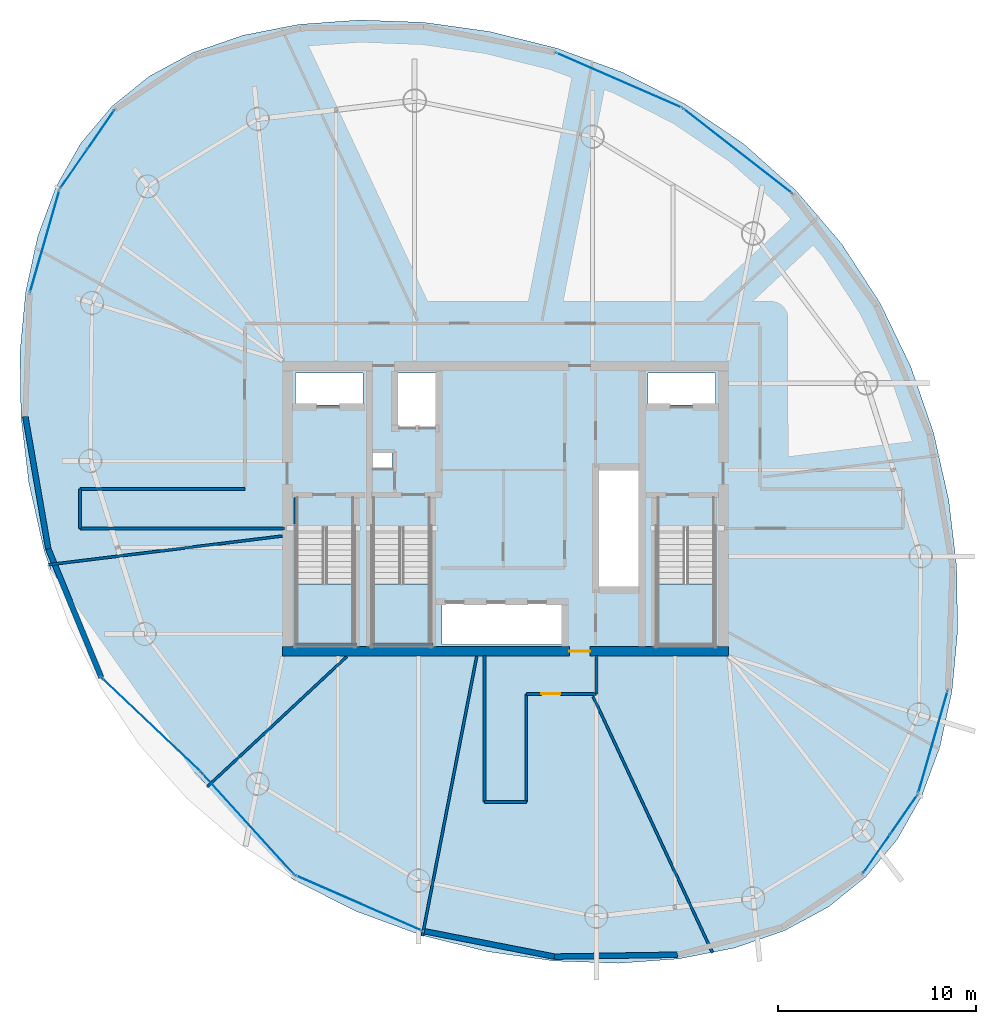
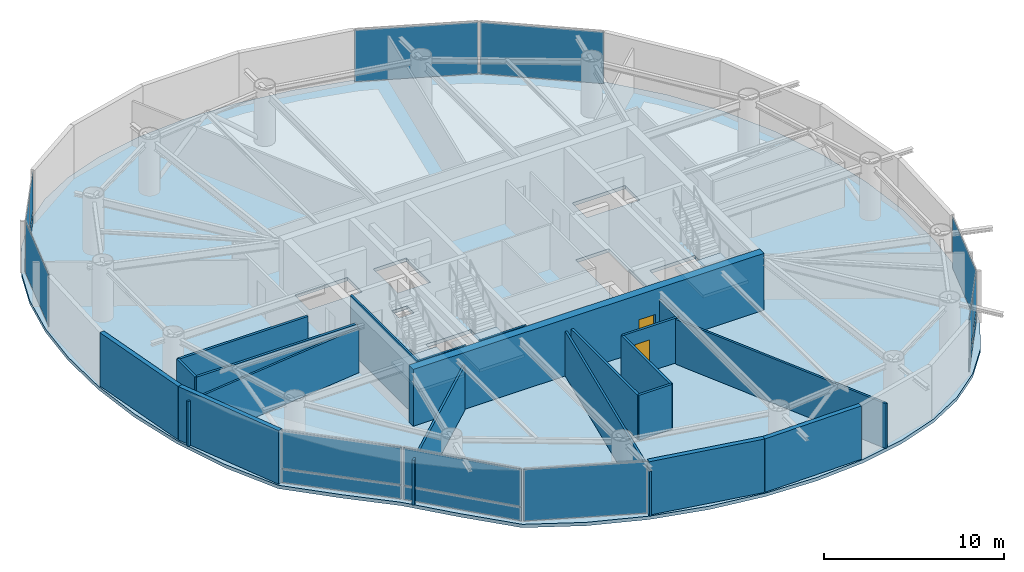
# One storey, part 15 of 22: 20 walls, 17 plates, 4 slabs, 2 doors, 2 openings, 12 elements without a shape of their own.
"""IFC4 building model written with IfcOpenShell, lengths in metres."""

from ifc_helpers import new_model, si_unit, direction, frame, frame_2d, origin, origin_2d, place, context, subcontext, project, spatial, polyline, rectangle, outline, extrude, material, layer, layer_set, type_object, element, fill, aggregate, save


model = new_model("IFC4")

# Units and contexts
model_context = context("Model", 3, precision=1e-05, world=origin(), true_north=direction((0.0, 1.0)))
body_context = subcontext(model_context, "Body", "Model", "MODEL_VIEW")
ifc_project = project(units=[si_unit("LENGTHUNIT", "METRE"), si_unit("AREAUNIT", "SQUARE_METRE"), si_unit("VOLUMEUNIT", "CUBIC_METRE"), si_unit("PLANEANGLEUNIT", "RADIAN"), si_unit("MASSUNIT", "GRAM", prefix="KILO")], contexts=[model_context])

# Site, building, storey
site_placement = place(None, origin())
site = spatial("IfcSite", under=ifc_project, at=site_placement, CompositionType="ELEMENT")
building_placement = place(site_placement, origin())
building = spatial("IfcBuilding", under=site, at=building_placement, Name="Bramvorn Convention Spire", CompositionType="ELEMENT")
storey_placement = place(building_placement, frame((0.0, 0.0, 213.550048828125)))
storey = spatial("IfcBuildingStorey", under=building, at=storey_placement, Name="L54", CompositionType="ELEMENT", Elevation=213.550048828125)

# Curtain wall, plates
ifc_material_1 = material(Name="Anodised Bronze Unitised Curtain Wall", Category="aluminium")
ifc_layer_1 = layer(ifc_material_1, 0.179931640625)
ifc_layer_set_1 = layer_set([ifc_layer_1], Name="Anodised Bronze Unitised Curtain Wall - CW-OFF-FRIT")
curtain_wall_type_1 = type_object("IfcCurtainWallType", Name="CW-OFF-FRIT", PredefinedType="USERDEFINED", material=ifc_layer_set_1)
curtain_wall_1_placement = place(storey_placement, origin())
curtain_wall_1 = element("IfcCurtainWall", 1, at=curtain_wall_1_placement, inside=storey, type_object=curtain_wall_type_1, Name="L54 fritted glass curtain wall 01", ObjectType="UNITISED CURTAIN WALL", PredefinedType="USERDEFINED")
ifc_material_2 = material(Name="Laminated Low-E Glass (Triple IGU Solar Bronze Frit 28%)", Category="glass")
ifc_layer_2 = layer(ifc_material_2, 0.0400390625)
ifc_layer_set_2 = layer_set([ifc_layer_2], Name="Laminated Low-E Glass (Triple IGU Solar Bronze Frit 28%) - PNL-IGU-3")
plate_type_1 = type_object("IfcPlateType", Name="PNL-IGU-3", PredefinedType="CURTAIN_PANEL", material=ifc_layer_set_2)
plate_1_placement = place(storey_placement, frame((58.112548828125, 10.57421875, 0.059814453125), z_axis=(0.0, 0.0, 1.0), x_axis=(-0.569756908053, -0.821813279113, 0.0)))
plate_1 = element("IfcPlate", 2, at=plate_1_placement, type_object=plate_type_1, Name="CW3 panel 1.1", PredefinedType="CURTAIN_PANEL", context=body_context, shape_type="SweptSolid", body=[
    extrude(rectangle(XDim=2.34814453125, YDim=0.028076171875, at=origin_2d()), origin(), (0.0, 0.0, 1.0), 0.81005859375),
])
plate_2_placement = place(storey_placement, frame((58.112548828125, 10.57421875, 0.929931640625), z_axis=(0.0, 0.0, 1.0), x_axis=(-0.569756908053, -0.821813279113, 0.0)))
plate_2 = element("IfcPlate", 3, at=plate_2_placement, type_object=plate_type_1, Name="CW3 panel 1.2", PredefinedType="CURTAIN_PANEL", context=body_context, shape_type="SweptSolid", body=[
    extrude(rectangle(XDim=2.34814453125, YDim=0.028076171875, at=origin_2d()), origin(), (0.0, 0.0, 1.0), 2.6298828125),
])
plate_3_placement = place(storey_placement, frame((56.740478515625, 8.594970703125, 0.059814453125), z_axis=(0.0, 0.0, 1.0), x_axis=(-0.569756908053, -0.821813279113, 0.0)))
plate_3 = element("IfcPlate", 4, at=plate_3_placement, type_object=plate_type_1, Name="CW3 panel 2.1", PredefinedType="CURTAIN_PANEL", context=body_context, shape_type="SweptSolid", body=[
    extrude(rectangle(XDim=2.34814453125, YDim=0.028076171875, at=origin_2d()), origin(), (0.0, 0.0, 1.0), 0.81005859375),
])
plate_4_placement = place(storey_placement, frame((56.740478515625, 8.594970703125, 0.929931640625), z_axis=(0.0, 0.0, 1.0), x_axis=(-0.569756908053, -0.821813279113, 0.0)))
plate_4 = element("IfcPlate", 5, at=plate_4_placement, type_object=plate_type_1, Name="CW3 panel 2.2", PredefinedType="CURTAIN_PANEL", context=body_context, shape_type="SweptSolid", body=[
    extrude(rectangle(XDim=2.34814453125, YDim=0.028076171875, at=origin_2d()), origin(), (0.0, 0.0, 1.0), 2.6298828125),
])
aggregate(curtain_wall_1, [plate_1, plate_2, plate_3, plate_4])

# Curtain wall, plate
curtain_wall_2_placement = place(storey_placement, origin())
curtain_wall_2 = element("IfcCurtainWall", 6, at=curtain_wall_2_placement, inside=storey, type_object=curtain_wall_type_1, Name="L54 fritted glass curtain wall 02", ObjectType="UNITISED CURTAIN WALL", PredefinedType="USERDEFINED")
plate_5_placement = place(storey_placement, frame((59.57080078125, 14.214111328125, 0.06005859375), z_axis=(0.0, 0.0, 1.0), x_axis=(-0.276419826411, -0.961036981373, 0.0)))
plate_5 = element("IfcPlate", 7, at=plate_5_placement, type_object=plate_type_1, Name="CW3 panel 1.1", PredefinedType="CURTAIN_PANEL", context=body_context, shape_type="SweptSolid", body=[
    extrude(rectangle(XDim=5.344482421875, YDim=0.028076171875, at=origin_2d()), origin(), (0.0, 0.0, 1.0), 3.5),
])
aggregate(curtain_wall_2, [plate_5])

curtain_wall_3_placement = place(storey_placement, origin())
curtain_wall_3 = element("IfcCurtainWall", 8, at=curtain_wall_3_placement, inside=storey, type_object=curtain_wall_type_1, Name="L54 fritted glass curtain wall 07", ObjectType="UNITISED CURTAIN WALL", PredefinedType="USERDEFINED")
plate_6_placement = place(storey_placement, frame((49.72265625, 44.046142578125, 0.06005859375), z_axis=(0.0, 0.0, 1.0), x_axis=(0.788496248846, -0.615039564221, 0.0)))
plate_6 = element("IfcPlate", 9, at=plate_6_placement, type_object=plate_type_1, Name="CW3 panel 1.1", PredefinedType="CURTAIN_PANEL", context=body_context, shape_type="SweptSolid", body=[
    extrude(rectangle(XDim=6.925537109375, YDim=0.028076171875, at=origin_2d()), origin(), (0.0, 0.0, 1.0), 3.5),
])
aggregate(curtain_wall_3, [plate_6])

curtain_wall_4_placement = place(storey_placement, origin())
curtain_wall_4 = element("IfcCurtainWall", 10, at=curtain_wall_4_placement, inside=storey, type_object=curtain_wall_type_1, Name="L54 fritted glass curtain wall 08", ObjectType="UNITISED CURTAIN WALL", PredefinedType="USERDEFINED")
plate_7_placement = place(storey_placement, frame((43.72998046875, 47.617919921875, 0.06005859375), z_axis=(0.0, 0.0, 1.0), x_axis=(0.916299216136, -0.400494377625, 0.0)))
plate_7 = element("IfcPlate", 11, at=plate_7_placement, type_object=plate_type_1, Name="CW3 panel 1.1", PredefinedType="CURTAIN_PANEL", context=body_context, shape_type="SweptSolid", body=[
    extrude(rectangle(XDim=6.8974609375, YDim=0.028076171875, at=origin_2d()), origin(), (0.0, 0.0, 1.0), 3.5),
])
aggregate(curtain_wall_4, [plate_7])

# Curtain wall, plates
curtain_wall_5_placement = place(storey_placement, origin())
curtain_wall_5 = element("IfcCurtainWall", 12, at=curtain_wall_5_placement, inside=storey, type_object=curtain_wall_type_1, Name="L54 fritted glass curtain wall 13", ObjectType="UNITISED CURTAIN WALL", PredefinedType="USERDEFINED")
plate_8_placement = place(storey_placement, frame((16.208251953125, 43.140625, 0.059814453125), z_axis=(0.0, 0.0, 1.0), x_axis=(0.569756908053, 0.821813279113, 0.0)))
plate_8 = element("IfcPlate", 13, at=plate_8_placement, type_object=plate_type_1, Name="CW3 panel 1.1", PredefinedType="CURTAIN_PANEL", context=body_context, shape_type="SweptSolid", body=[
    extrude(rectangle(XDim=2.34814453125, YDim=0.028076171875, at=origin_2d()), origin(), (0.0, 0.0, 1.0), 0.81005859375),
])
plate_9_placement = place(storey_placement, frame((16.208251953125, 43.140625, 0.929931640625), z_axis=(0.0, 0.0, 1.0), x_axis=(0.569756908053, 0.821813279113, 0.0)))
plate_9 = element("IfcPlate", 14, at=plate_9_placement, type_object=plate_type_1, Name="CW3 panel 1.2", PredefinedType="CURTAIN_PANEL", context=body_context, shape_type="SweptSolid", body=[
    extrude(rectangle(XDim=2.34814453125, YDim=0.028076171875, at=origin_2d()), origin(), (0.0, 0.0, 1.0), 2.6298828125),
])
plate_10_placement = place(storey_placement, frame((17.580322265625, 45.11962890625, 0.059814453125), z_axis=(0.0, 0.0, 1.0), x_axis=(0.569756908053, 0.821813279113, 0.0)))
plate_10 = element("IfcPlate", 15, at=plate_10_placement, type_object=plate_type_1, Name="CW3 panel 2.1", PredefinedType="CURTAIN_PANEL", context=body_context, shape_type="SweptSolid", body=[
    extrude(rectangle(XDim=2.34814453125, YDim=0.028076171875, at=origin_2d()), origin(), (0.0, 0.0, 1.0), 0.81005859375),
])
plate_11_placement = place(storey_placement, frame((17.580322265625, 45.11962890625, 0.929931640625), z_axis=(0.0, 0.0, 1.0), x_axis=(0.569756908053, 0.821813279113, 0.0)))
plate_11 = element("IfcPlate", 16, at=plate_11_placement, type_object=plate_type_1, Name="CW3 panel 2.2", PredefinedType="CURTAIN_PANEL", context=body_context, shape_type="SweptSolid", body=[
    extrude(rectangle(XDim=2.34814453125, YDim=0.028076171875, at=origin_2d()), origin(), (0.0, 0.0, 1.0), 2.6298828125),
])
aggregate(curtain_wall_5, [plate_8, plate_9, plate_10, plate_11])

# Curtain wall, plate
curtain_wall_6_placement = place(storey_placement, origin())
curtain_wall_6 = element("IfcCurtainWall", 17, at=curtain_wall_6_placement, inside=storey, type_object=curtain_wall_type_1, Name="L54 fritted glass curtain wall 14", ObjectType="UNITISED CURTAIN WALL", PredefinedType="USERDEFINED")
plate_12_placement = place(storey_placement, frame((14.75, 39.50048828125, 0.06005859375), z_axis=(0.0, 0.0, 1.0), x_axis=(0.276419826411, 0.961036981373, 0.0)))
plate_12 = element("IfcPlate", 18, at=plate_12_placement, type_object=plate_type_1, Name="CW3 panel 1.1", PredefinedType="CURTAIN_PANEL", context=body_context, shape_type="SweptSolid", body=[
    extrude(rectangle(XDim=5.344482421875, YDim=0.028076171875, at=origin_2d()), origin(), (0.0, 0.0, 1.0), 3.5),
])
aggregate(curtain_wall_6, [plate_12])

curtain_wall_7_placement = place(storey_placement, origin())
curtain_wall_7 = element("IfcCurtainWall", 19, at=curtain_wall_7_placement, inside=storey, type_object=curtain_wall_type_1, Name="L54 fritted glass curtain wall 20", ObjectType="UNITISED CURTAIN WALL", PredefinedType="USERDEFINED")
plate_13_placement = place(storey_placement, frame((30.591064453125, 6.0966796875, 0.06005859375), z_axis=(0.0, 0.0, 1.0), x_axis=(-0.916296272463, 0.400501112446, 0.0)))
plate_13 = element("IfcPlate", 20, at=plate_13_placement, type_object=plate_type_1, Name="CW3 panel 1.1", PredefinedType="CURTAIN_PANEL", context=body_context, shape_type="SweptSolid", body=[
    extrude(rectangle(XDim=6.897705078125, YDim=0.028076171875, at=origin_2d()), origin(), (0.0, 0.0, 1.0), 3.5),
])
aggregate(curtain_wall_7, [plate_13])

# Curtain wall, plates
ifc_layer_3 = layer(ifc_material_1, 0.219970703125)
ifc_layer_set_3 = layer_set([ifc_layer_3], Name="Anodised Bronze Unitised Curtain Wall - CW-SKYGARDEN")
curtain_wall_type_2 = type_object("IfcCurtainWallType", Name="CW-SKYGARDEN", PredefinedType="USERDEFINED", material=ifc_layer_set_3)
curtain_wall_8_placement = place(storey_placement, origin())
curtain_wall_8 = element("IfcCurtainWall", 21, at=curtain_wall_8_placement, inside=storey, type_object=curtain_wall_type_2, Name="L54 Sky Garden glazed facade 18", ObjectType="WINTER GARDEN GLAZING", PredefinedType="USERDEFINED")
ifc_material_3 = material(Name="Laminated Low-E Glass (Acoustic Laminated Podium Triple IGU)", Category="glass")
ifc_layer_4 = layer(ifc_material_3, 0.0458984375)
ifc_layer_set_4 = layer_set([ifc_layer_4], Name="Laminated Low-E Glass (Acoustic Laminated Podium Triple IGU) - PNL-IGU-5")
plate_type_2 = type_object("IfcPlateType", Name="PNL-IGU-5", PredefinedType="CURTAIN_PANEL", material=ifc_layer_set_4)
plate_14_placement = place(storey_placement, frame((20.137939453125, 15.074462890625, 0.06005859375), z_axis=(0.0, 0.0, 1.0), x_axis=(-0.725159845391, 0.688580568004, 0.0)))
plate_14 = element("IfcPlate", 22, at=plate_14_placement, type_object=plate_type_2, Name="CW4 panel 1.1", PredefinedType="CURTAIN_PANEL", context=body_context, shape_type="SweptSolid", body=[
    extrude(rectangle(XDim=6.86767578125, YDim=0.028076171875, at=origin_2d()), origin(), (0.0, 0.0, 1.0), 0.909912109375),
])
plate_15_placement = place(storey_placement, frame((20.137939453125, 15.074462890625, 1.02978515625), z_axis=(0.0, 0.0, 1.0), x_axis=(-0.725159845391, 0.688580568004, 0.0)))
plate_15 = element("IfcPlate", 23, at=plate_15_placement, type_object=plate_type_2, Name="CW4 panel 1.2", PredefinedType="CURTAIN_PANEL", context=body_context, shape_type="SweptSolid", body=[
    extrude(rectangle(XDim=6.86767578125, YDim=0.028076171875, at=origin_2d()), origin(), (0.0, 0.0, 1.0), 2.530029296875),
])
aggregate(curtain_wall_8, [plate_14, plate_15])

curtain_wall_9_placement = place(storey_placement, origin())
curtain_wall_9 = element("IfcCurtainWall", 24, at=curtain_wall_9_placement, inside=storey, type_object=curtain_wall_type_2, Name="L54 Sky Garden glazed facade 19", ObjectType="WINTER GARDEN GLAZING", PredefinedType="USERDEFINED")
plate_16_placement = place(storey_placement, frame((25.023681640625, 10.08544921875, 0.06005859375), z_axis=(0.0, 0.0, 1.0), x_axis=(-0.673244590099, 0.739419854956, 0.0)))
plate_16 = element("IfcPlate", 25, at=plate_16_placement, type_object=plate_type_2, Name="CW4 panel 1.1", PredefinedType="CURTAIN_PANEL", context=body_context, shape_type="SweptSolid", body=[
    extrude(rectangle(XDim=6.867431640625, YDim=0.028076171875, at=origin_2d()), origin(), (0.0, 0.0, 1.0), 0.909912109375),
])
plate_17_placement = place(storey_placement, frame((25.023681640625, 10.08544921875, 1.02978515625), z_axis=(0.0, 0.0, 1.0), x_axis=(-0.673244590099, 0.739419854956, 0.0)))
plate_17 = element("IfcPlate", 26, at=plate_17_placement, type_object=plate_type_2, Name="CW4 panel 1.2", PredefinedType="CURTAIN_PANEL", context=body_context, shape_type="SweptSolid", body=[
    extrude(rectangle(XDim=6.867431640625, YDim=0.028076171875, at=origin_2d()), origin(), (0.0, 0.0, 1.0), 2.530029296875),
])
aggregate(curtain_wall_9, [plate_16, plate_17])

# Stair, slab
ifc_material_4 = material(Name="Concrete C40/50 Precast Stair", Category="concrete")
stair_type = type_object("IfcStairType", Name="ST-TOWER-1550", PredefinedType="HALF_TURN_STAIR", material=ifc_material_4)
stair_1_placement = place(storey_placement, origin())
stair_1 = element("IfcStair", 27, at=stair_1_placement, inside=storey, type_object=stair_type, Name="L54 Protected Exit Stair ST1", PredefinedType="HALF_TURN_STAIR")
ifc_material_5 = material(Name="Concrete C40/50 Stair Landing", Category="concrete")
ifc_layer_5 = layer(ifc_material_5, 0.219970703125)
ifc_layer_set_5 = layer_set([ifc_layer_5], Name="Concrete C40/50 Stair Landing - SLB-STAIR-LANDING")
slab_type_1 = type_object("IfcSlabType", Name="SLB-STAIR-LANDING", PredefinedType="LANDING", material=ifc_layer_set_5)
slab_1_placement = place(storey_placement, frame((0.0, 0.0, 1.724853515625)))
slab_1 = element("IfcSlab", 28, at=slab_1_placement, type_object=slab_type_1, Name="ST1 landing 1", PredefinedType="LANDING", context=body_context, shape_type="SweptSolid", body=[
    extrude(outline(polyline([(27.449951171875, 22.199951171875), (27.449951171875, 19.10009765625), (30.35009765625, 19.10009765625), (30.35009765625, 22.199951171875), (27.449951171875, 22.199951171875)])), origin(), (0.0, 0.0, 1.0), 0.2001953125),
])
aggregate(stair_1, [slab_1])

stair_2_placement = place(storey_placement, origin())
stair_2 = element("IfcStair", 29, at=stair_2_placement, inside=storey, type_object=stair_type, Name="L54 Protected Exit Stair ST2", PredefinedType="HALF_TURN_STAIR")
slab_2_placement = place(storey_placement, frame((0.0, 0.0, 1.724853515625)))
slab_2 = element("IfcSlab", 30, at=slab_2_placement, type_object=slab_type_1, Name="ST2 landing 1", PredefinedType="LANDING", context=body_context, shape_type="SweptSolid", body=[
    extrude(outline(polyline([(45.64990234375, 22.199951171875), (45.64990234375, 19.10009765625), (48.550048828125, 19.10009765625), (48.550048828125, 22.199951171875), (45.64990234375, 22.199951171875)])), origin(), (0.0, 0.0, 1.0), 0.2001953125),
])
aggregate(stair_2, [slab_2])

stair_3_placement = place(storey_placement, origin())
stair_3 = element("IfcStair", 31, at=stair_3_placement, inside=storey, type_object=stair_type, Name="L54 Protected Exit Stair ST3", PredefinedType="HALF_TURN_STAIR")
slab_3_placement = place(storey_placement, frame((0.0, 0.0, 1.724853515625)))
slab_3 = element("IfcSlab", 32, at=slab_3_placement, type_object=slab_type_1, Name="ST3 landing 1", PredefinedType="LANDING", context=body_context, shape_type="SweptSolid", body=[
    extrude(outline(polyline([(31.300048828125, 22.199951171875), (31.300048828125, 19.10009765625), (34.199951171875, 19.10009765625), (34.199951171875, 22.199951171875), (31.300048828125, 22.199951171875)])), origin(), (0.0, 0.0, 1.0), 0.2001953125),
])
aggregate(stair_3, [slab_3])

# Slab
ifc_material_6 = material(Name="Concrete C40/50", Category="concrete")
ifc_layer_6 = layer(ifc_material_6, 0.22998046875)
ifc_layer_set_6 = layer_set([ifc_layer_6], Name="Concrete C40/50 - SLB-Z3-230")
slab_type_2 = type_object("IfcSlabType", Name="SLB-Z3-230", PredefinedType="FLOOR", material=ifc_layer_set_6)
slab_4_placement = place(storey_placement, frame((0.0, 0.0, -0.22998046875)))
element("IfcSlab", 33, at=slab_4_placement, inside=storey, type_object=slab_type_2, Name="L54 tower floor slab", PredefinedType="FLOOR", context=body_context, shape_type="SweptSolid", body=[
    extrude(outline(polyline([(56.191162109375, 7.423583984375), (57.758056640625, 9.28369140625), (59.002197265625, 11.4736328125), (59.927490234375, 13.980224609375), (60.534912109375, 16.777587890625), (60.81982421875, 19.823486328125), (60.77197265625, 23.059814453125), (60.374755859375, 26.4150390625), (59.610107421875, 29.806884765625), (58.46142578125, 33.148193359375), (56.918701171875, 36.352783203125), (54.982666015625, 39.341064453125), (52.670166015625, 42.045654296875), (50.0146484375, 44.414306640625), (47.0673828125, 46.412353515625), (43.89599609375, 48.02197265625), (40.579345703125, 49.240478515625), (37.204345703125, 50.075927734375), (33.8583984375, 50.543212890625), (30.62353515625, 50.658935546875), (27.572509765625, 50.437744140625), (24.762939453125, 49.88916015625), (22.2373046875, 49.0166015625), (20.02197265625, 47.818603515625), (18.129638671875, 46.291015625), (16.562744140625, 44.430908203125), (15.318603515625, 42.2412109375), (14.393310546875, 39.734375), (13.785888671875, 36.93701171875), (13.5009765625, 33.89111328125), (13.548828125, 30.65478515625), (13.946044921875, 27.2998046875), (14.710693359375, 23.907958984375), (15.859375, 20.566650390625), (17.402099609375, 17.362060546875), (19.979736328125, 14.822998046875), (22.503173828125, 12.50390625), (24.768798828125, 9.9326171875), (27.25341796875, 7.302490234375), (30.4248046875, 5.692626953125), (33.741455078125, 4.474365234375), (37.116455078125, 3.638916015625), (40.462646484375, 3.17138671875), (43.697265625, 3.0556640625), (46.748291015625, 3.277099609375), (49.557861328125, 3.82568359375), (52.08349609375, 4.6982421875), (54.298828125, 5.896240234375), (56.191162109375, 7.423583984375)]), holes=[polyline([(27.449951171875, 25.050048828125), (27.449951171875, 19.10009765625), (30.35009765625, 19.10009765625), (30.35009765625, 25.050048828125), (27.449951171875, 25.050048828125)]), polyline([(45.64990234375, 25.050048828125), (45.64990234375, 19.10009765625), (48.550048828125, 19.10009765625), (48.550048828125, 25.050048828125), (45.64990234375, 25.050048828125)]), polyline([(31.300048828125, 25.050048828125), (31.300048828125, 19.10009765625), (34.199951171875, 19.10009765625), (34.199951171875, 25.050048828125), (31.300048828125, 25.050048828125)]), polyline([(27.39990234375, 31.219970703125), (30.800048828125, 31.219970703125), (30.800048828125, 32.85009765625), (27.39990234375, 32.85009765625), (27.39990234375, 31.219970703125)]), polyline([(45.199951171875, 31.219970703125), (48.60009765625, 31.219970703125), (48.60009765625, 32.85009765625), (45.199951171875, 32.85009765625), (45.199951171875, 31.219970703125)]), polyline([(32.449951171875, 30.14990234375), (34.56005859375, 30.14990234375), (34.56005859375, 32.85009765625), (32.449951171875, 32.85009765625), (32.449951171875, 30.14990234375)]), polyline([(34.800048828125, 19.14990234375), (40.97998046875, 19.14990234375), (40.97998046875, 21.199951171875), (34.800048828125, 21.199951171875), (34.800048828125, 19.14990234375)]), polyline([(42.6201171875, 22.0), (44.75, 22.0), (44.75, 28.0), (42.6201171875, 28.0), (42.6201171875, 22.0)]), polyline([(31.320068359375, 28.02001953125), (32.280029296875, 28.02001953125), (32.280029296875, 28.820068359375), (31.320068359375, 28.820068359375), (31.320068359375, 28.02001953125)])]), origin(), (0.0, 0.0, 1.0), 0.22998046875),
])

# Wall, opening, door
ifc_material_7 = material(Name="Concrete C50/60", Category="concrete")
ifc_layer_7 = layer(ifc_material_7, 0.5)
ifc_layer_set_7 = layer_set([ifc_layer_7], Name="Concrete C50/60 - WL-CORE-500")
wall_type_1 = type_object("IfcWallType", Name="WL-CORE-500", PredefinedType="SHEAR", material=ifc_layer_set_7)
wall_1_placement = place(storey_placement, frame((26.75, 18.800048828125, 0.0), z_axis=(0.0, 0.0, 1.0), x_axis=(1.0, 0.0, 0.0)))
wall_1 = element("IfcWall", 34, at=wall_1_placement, inside=storey, type_object=wall_type_1, Name="L54 South RC core shear wall", PredefinedType="SHEAR", context=body_context, shape_type="SweptSolid", body=[
    extrude(rectangle(XDim=22.5, YDim=0.5, at=frame_2d((11.25, 0.0))), origin(), (0.0, 0.0, 1.0), 3.849853515625),
])
opening_1_placement = place(wall_1_placement, frame((14.469970703125, 0.0, 0.0)))
opening_1 = element("IfcOpeningElement", 35, at=opening_1_placement, cuts=wall_1, Name="Opening DL-105", PredefinedType="OPENING", context=body_context, shape_type="SweptSolid", body=[
    extrude(rectangle(XDim=1.050048828125, YDim=2.14990234375, at=frame_2d((0.52490234375, 1.074951171875))), frame((0.0, 0.260009765625, 0.0), z_axis=(0.0, -1.0, 0.0), x_axis=(1.0, 0.0, 0.0)), (0.0, 0.0, 1.0), 0.52001953125),
])
ifc_material_8 = material(Name="Smoke-Sealed Fire Lobby Timber-Core Door", Category="wood")
door_type_1 = type_object("IfcDoorType", Name="DR-LOBBY-1050", OperationType="NOTDEFINED", PredefinedType="DOOR", material=ifc_material_8)
door_1_placement = place(opening_1_placement, origin())
door_1 = element("IfcDoor", 36, at=door_1_placement, inside=storey, type_object=door_type_1, Name="L54 South Lift Lobby fire door", OperationType="SINGLE_SWING_RIGHT", OverallHeight=2.14990234375, OverallWidth=1.050048828125, PredefinedType="DOOR", context=body_context, shape_type="SweptSolid", body=[
    extrude(rectangle(XDim=1.050048828125, YDim=2.14990234375, at=frame_2d((0.52490234375, 1.074951171875))), frame((0.0, 0.02490234375, 0.0), z_axis=(0.0, -1.0, 0.0), x_axis=(1.0, 0.0, 0.0)), (0.0, 0.0, 1.0), 0.050048828125),
])
fill(opening_1, door_1)

# Walls
ifc_material_9 = material(Name="Precast Concrete C40/50 with Bronze Terracotta Rainscreen", Category="masonry")
ifc_layer_8 = layer(ifc_material_9, 0.300048828125)
ifc_layer_set_8 = layer_set([ifc_layer_8], Name="Precast Concrete C40/50 with Bronze Terracotta Rainscreen - WL-EXT-BRONZE-300")
wall_type_2 = type_object("IfcWallType", Name="WL-EXT-BRONZE-300", PredefinedType="SOLIDWALL", material=ifc_layer_set_8)
wall_2_placement = place(storey_placement, frame((14.92919921875, 23.968017578125, 0.0), z_axis=(0.0, 0.0, 1.0), x_axis=(-0.171035922685, 0.985264793419, 0.0)))
element("IfcWall", 37, at=wall_2_placement, inside=storey, type_object=wall_type_2, Name="L54 expressed bronze Gothic lancet pier wall 16", PredefinedType="SOLIDWALL", context=body_context, shape_type="SweptSolid", body=[
    extrude(rectangle(XDim=6.784423828125, YDim=0.280029296875, at=frame_2d((3.39208984375, 0.0))), origin(), (0.0, 0.0, 1.0), 3.619873046875),
])
wall_3_placement = place(storey_placement, frame((17.6044921875, 17.480224609375, 0.0), z_axis=(0.0, 0.0, 1.0), x_axis=(-0.381218688328, 0.924484889909, 0.0)))
element("IfcWall", 38, at=wall_3_placement, inside=storey, type_object=wall_type_2, Name="L54 expressed bronze Gothic lancet pier wall 17", PredefinedType="SOLIDWALL", context=body_context, shape_type="SweptSolid", body=[
    extrude(rectangle(XDim=7.017822265625, YDim=0.280029296875, at=frame_2d((3.5087890625, 0.0))), origin(), (0.0, 0.0, 1.0), 3.619873046875),
])
wall_4_placement = place(storey_placement, frame((40.46484375, 3.3916015625, 0.0), z_axis=(0.0, 0.0, 1.0), x_axis=(-0.981475410998, 0.191588145786, 0.0)))
element("IfcWall", 39, at=wall_4_placement, inside=storey, type_object=wall_type_2, Name="L54 expressed bronze Gothic lancet pier wall 21", PredefinedType="SOLIDWALL", context=body_context, shape_type="SweptSolid", body=[
    extrude(rectangle(XDim=6.784423828125, YDim=0.280029296875, at=frame_2d((3.39208984375, 0.0))), origin(), (0.0, 0.0, 1.0), 3.619873046875),
])
wall_5_placement = place(storey_placement, frame((46.6904296875, 3.487060546875, 0.0), z_axis=(0.0, 0.0, 1.0), x_axis=(-0.999882465169, -0.015331531133, 0.0)))
element("IfcWall", 40, at=wall_5_placement, inside=storey, type_object=wall_type_2, Name="L54 expressed bronze Gothic lancet pier wall 22", PredefinedType="SOLIDWALL", context=body_context, shape_type="SweptSolid", body=[
    extrude(rectangle(XDim=6.226318359375, YDim=0.280029296875, at=frame_2d((3.11328125, 0.0))), origin(), (0.0, 0.0, 1.0), 3.619873046875),
])
ifc_material_10 = material(Name="Metal-Stud Demountable Office Partition", Category="gypsum")
ifc_layer_9 = layer(ifc_material_10, 0.1298828125)
ifc_layer_set_9 = layer_set([ifc_layer_9], Name="Metal-Stud Demountable Office Partition - WL-PART-130")
wall_type_3 = type_object("IfcWallType", Name="WL-PART-130", PredefinedType="PARTITIONING", material=ifc_layer_set_9)
wall_6_placement = place(storey_placement, frame((26.72998046875, 24.6162109375, 0.0), z_axis=(0.0, 0.0, 1.0), x_axis=(-0.992544457944, -0.121883136673, 0.0)))
element("IfcWall", 41, at=wall_6_placement, inside=storey, type_object=wall_type_3, Name="L54 Tenant suite partition 6", PredefinedType="PARTITIONING", context=body_context, shape_type="SweptSolid", body=[
    extrude(rectangle(XDim=11.88623046875, YDim=0.1298828125, at=frame_2d((5.943115234375, 0.0))), origin(), (0.0, 0.0, 1.0), 3.034912109375),
])
wall_7_placement = place(storey_placement, frame((29.989501953125, 18.530029296875, 0.0), z_axis=(0.0, 0.0, 1.0), x_axis=(-0.731364385801, -0.6819869025, 0.0)))
element("IfcWall", 42, at=wall_7_placement, inside=storey, type_object=wall_type_3, Name="L54 Tenant suite partition 7", PredefinedType="PARTITIONING", context=body_context, shape_type="SweptSolid", body=[
    extrude(rectangle(XDim=9.636474609375, YDim=0.1298828125, at=frame_2d((4.818359375, 0.0))), origin(), (0.0, 0.0, 1.0), 3.034912109375),
])
wall_8_placement = place(storey_placement, frame((36.548095703125, 18.530029296875, 0.0), z_axis=(0.0, 0.0, 1.0), x_axis=(-0.190822813374, -0.9816244974, 0.0)))
element("IfcWall", 43, at=wall_8_placement, inside=storey, type_object=wall_type_3, Name="L54 Tenant suite partition 8", PredefinedType="PARTITIONING", context=body_context, shape_type="SweptSolid", body=[
    extrude(rectangle(XDim=14.36767578125, YDim=0.1298828125, at=frame_2d((7.183837890625, 0.0))), origin(), (0.0, 0.0, 1.0), 3.034912109375),
])
wall_9_placement = place(storey_placement, frame((42.42529296875, 16.510009765625, 0.0), z_axis=(0.0, 0.0, 1.0), x_axis=(0.422623131255, -0.906305516329, 0.0)))
element("IfcWall", 44, at=wall_9_placement, inside=storey, type_object=wall_type_3, Name="L54 Tenant suite partition 9", PredefinedType="PARTITIONING", context=body_context, shape_type="SweptSolid", body=[
    extrude(rectangle(XDim=14.266357421875, YDim=0.1298828125, at=frame_2d((7.13330078125, 0.0))), origin(), (0.0, 0.0, 1.0), 3.034912109375),
])
ifc_material_11 = material(Name="Acoustic Metal-Stud Tenant/Corridor Partition", Category="gypsum")
ifc_layer_10 = layer(ifc_material_11, 0.14990234375)
ifc_layer_set_10 = layer_set([ifc_layer_10], Name="Acoustic Metal-Stud Tenant/Corridor Partition - WL-PART-150")
wall_type_4 = type_object("IfcWallType", Name="WL-PART-150", PredefinedType="PARTITIONING", material=ifc_layer_set_10)
wall_10_placement = place(storey_placement, frame((16.5390625, 27.0, 0.0), z_axis=(0.0, 0.0, 1.0), x_axis=(1.0, 0.0, 0.0)))
element("IfcWall", 45, at=wall_10_placement, inside=storey, type_object=wall_type_4, Name="L54 West wing spine north wall", PredefinedType="PARTITIONING", context=body_context, shape_type="SweptSolid", body=[
    extrude(rectangle(XDim=8.31103515625, YDim=0.14990234375, at=frame_2d((4.155517578125, 0.0))), origin(), (0.0, 0.0, 1.0), 3.034912109375),
])
wall_11_placement = place(storey_placement, frame((16.5390625, 25.0, 0.0), z_axis=(0.0, 0.0, 1.0), x_axis=(1.0, 0.0, 0.0)))
element("IfcWall", 46, at=wall_11_placement, inside=storey, type_object=wall_type_4, Name="L54 West wing spine south wall", PredefinedType="PARTITIONING", context=body_context, shape_type="SweptSolid", body=[
    extrude(rectangle(XDim=10.31103515625, YDim=0.14990234375, at=frame_2d((5.155517578125, 0.0))), origin(), (0.0, 0.0, 1.0), 3.034912109375),
])
wall_12_placement = place(storey_placement, frame((16.5390625, 25.0, 0.0), z_axis=(0.0, 0.0, 1.0), x_axis=(0.0, 1.0, 0.0)))
element("IfcWall", 47, at=wall_12_placement, inside=storey, type_object=wall_type_4, Name="L54 West wing spine end wall", PredefinedType="PARTITIONING", context=body_context, shape_type="SweptSolid", body=[
    extrude(rectangle(XDim=2.0, YDim=0.14990234375, at=frame_2d((1.0, 0.0))), origin(), (0.0, 0.0, 1.0), 3.034912109375),
])
wall_13_placement = place(storey_placement, frame((36.949951171875, 11.199951171875, 0.0), z_axis=(0.0, 0.0, 1.0), x_axis=(0.0, 1.0, 0.0)))
element("IfcWall", 48, at=wall_13_placement, inside=storey, type_object=wall_type_4, Name="L54 South axial spine west wall", PredefinedType="PARTITIONING", context=body_context, shape_type="SweptSolid", body=[
    extrude(rectangle(XDim=7.400146484375, YDim=0.14990234375, at=frame_2d((3.7001953125, 0.0))), origin(), (0.0, 0.0, 1.0), 3.034912109375),
])
wall_14_placement = place(storey_placement, frame((39.050048828125, 11.199951171875, 0.0), z_axis=(0.0, 0.0, 1.0), x_axis=(0.0, 1.0, 0.0)))
element("IfcWall", 49, at=wall_14_placement, inside=storey, type_object=wall_type_4, Name="L54 South axial spine east wall", PredefinedType="PARTITIONING", context=body_context, shape_type="SweptSolid", body=[
    extrude(rectangle(XDim=5.449951171875, YDim=0.14990234375, at=frame_2d((2.72509765625, 0.0))), origin(), (0.0, 0.0, 1.0), 3.034912109375),
])

# Wall, opening, door
wall_15_placement = place(storey_placement, frame((39.050048828125, 16.64990234375, 0.0), z_axis=(0.0, 0.0, 1.0), x_axis=(1.0, 0.0, 0.0)))
wall_15 = element("IfcWall", 50, at=wall_15_placement, inside=storey, type_object=wall_type_4, Name="L54 South lift lobby link wall", PredefinedType="PARTITIONING", context=body_context, shape_type="SweptSolid", body=[
    extrude(rectangle(XDim=3.550048828125, YDim=0.14990234375, at=frame_2d((1.77490234375, 0.0))), origin(), (0.0, 0.0, 1.0), 3.034912109375),
])
opening_2_placement = place(wall_15_placement, frame((0.767578125, 0.0, 0.0)))
opening_2 = element("IfcOpeningElement", 51, at=opening_2_placement, cuts=wall_15, Name="Opening DH-095", PredefinedType="OPENING", context=body_context, shape_type="SweptSolid", body=[
    extrude(rectangle(XDim=0.949951171875, YDim=2.14990234375, at=frame_2d((0.47509765625, 1.074951171875))), frame((0.0, 0.0849609375, 0.0), z_axis=(0.0, -1.0, 0.0), x_axis=(1.0, 0.0, 0.0)), (0.0, 0.0, 1.0), 0.169921875),
])
ifc_material_12 = material(Name="Solid-Core Acoustic Guestroom Entry Door", Category="wood")
door_type_2 = type_object("IfcDoorType", Name="DR-HOTEL-950", OperationType="NOTDEFINED", PredefinedType="DOOR", material=ifc_material_12)
door_2_placement = place(opening_2_placement, origin())
door_2 = element("IfcDoor", 52, at=door_2_placement, inside=storey, type_object=door_type_2, Name="L54 Tenant Briefing Room 8 door", OperationType="SINGLE_SWING_RIGHT", OverallHeight=2.14990234375, OverallWidth=0.949951171875, PredefinedType="DOOR", context=body_context, shape_type="SweptSolid", body=[
    extrude(rectangle(XDim=0.949951171875, YDim=2.14990234375, at=frame_2d((0.47509765625, 1.074951171875))), frame((0.0, 0.02490234375, 0.0), z_axis=(0.0, -1.0, 0.0), x_axis=(1.0, 0.0, 0.0)), (0.0, 0.0, 1.0), 0.050048828125),
])
fill(opening_2, door_2)

# Walls
wall_16_placement = place(storey_placement, frame((42.60009765625, 16.64990234375, 0.0), z_axis=(0.0, 0.0, 1.0), x_axis=(0.0, 1.0, 0.0)))
element("IfcWall", 53, at=wall_16_placement, inside=storey, type_object=wall_type_4, Name="L54 South lift lobby east cheek", PredefinedType="PARTITIONING", context=body_context, shape_type="SweptSolid", body=[
    extrude(rectangle(XDim=1.9501953125, YDim=0.14990234375, at=frame_2d((0.97509765625, 0.0))), origin(), (0.0, 0.0, 1.0), 3.034912109375),
])
wall_17_placement = place(storey_placement, frame((36.949951171875, 11.199951171875, 0.0), z_axis=(0.0, 0.0, 1.0), x_axis=(1.0, 0.0, 0.0)))
element("IfcWall", 54, at=wall_17_placement, inside=storey, type_object=wall_type_4, Name="L54 South axial spine end wall", PredefinedType="PARTITIONING", context=body_context, shape_type="SweptSolid", body=[
    extrude(rectangle(XDim=2.10009765625, YDim=0.14990234375, at=frame_2d((1.050048828125, 0.0))), origin(), (0.0, 0.0, 1.0), 3.034912109375),
])
ifc_layer_11 = layer(ifc_material_7, 0.1201171875)
ifc_layer_set_11 = layer_set([ifc_layer_11], Name="Concrete C50/60 - WL-STAIR-RC-120")
wall_type_5 = type_object("IfcWallType", Name="WL-STAIR-RC-120", PredefinedType="SHEAR", material=ifc_layer_set_11)
wall_18_placement = place(storey_placement, frame((27.39501953125, 19.10009765625, 0.0), z_axis=(0.0, 0.0, 1.0), x_axis=(0.0, 1.0, 0.0)))
element("IfcWall", 55, at=wall_18_placement, inside=storey, type_object=wall_type_5, Name="L54 ST1 west bearing shear wall", PredefinedType="SHEAR", context=body_context, shape_type="SweptSolid", body=[
    extrude(rectangle(XDim=7.449951171875, YDim=0.1201171875, at=frame_2d((3.72509765625, 0.0))), origin(), (0.0, 0.0, 1.0), 3.849853515625),
])
wall_19_placement = place(storey_placement, frame((27.39501953125, 19.159912109375, 0.0), z_axis=(0.0, 0.0, 1.0), x_axis=(1.0, 0.0, 0.0)))
element("IfcWall", 56, at=wall_19_placement, inside=storey, type_object=wall_type_5, Name="L54 ST1 south bearing shear wall", PredefinedType="SHEAR", context=body_context, shape_type="SweptSolid", body=[
    extrude(rectangle(XDim=3.094970703125, YDim=0.1201171875, at=frame_2d((1.54736328125, 0.0))), origin(), (0.0, 0.0, 1.0), 3.849853515625),
])
wall_20_placement = place(storey_placement, frame((31.300048828125, 19.159912109375, 0.0), z_axis=(0.0, 0.0, 1.0), x_axis=(1.0, 0.0, 0.0)))
element("IfcWall", 57, at=wall_20_placement, inside=storey, type_object=wall_type_5, Name="L54 ST3 south bearing shear wall", PredefinedType="SHEAR", context=body_context, shape_type="SweptSolid", body=[
    extrude(rectangle(XDim=3.0400390625, YDim=0.1201171875, at=frame_2d((1.52001953125, 0.0))), origin(), (0.0, 0.0, 1.0), 3.849853515625),
])

save(model, "model.ifc")
